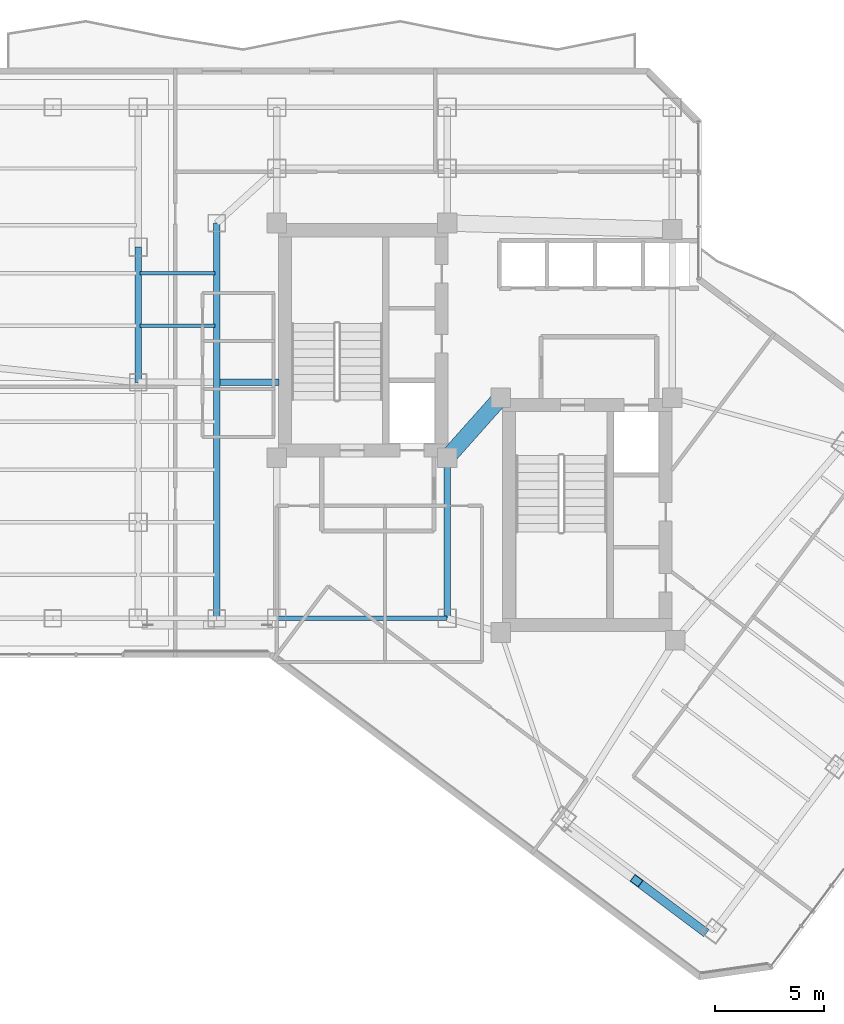
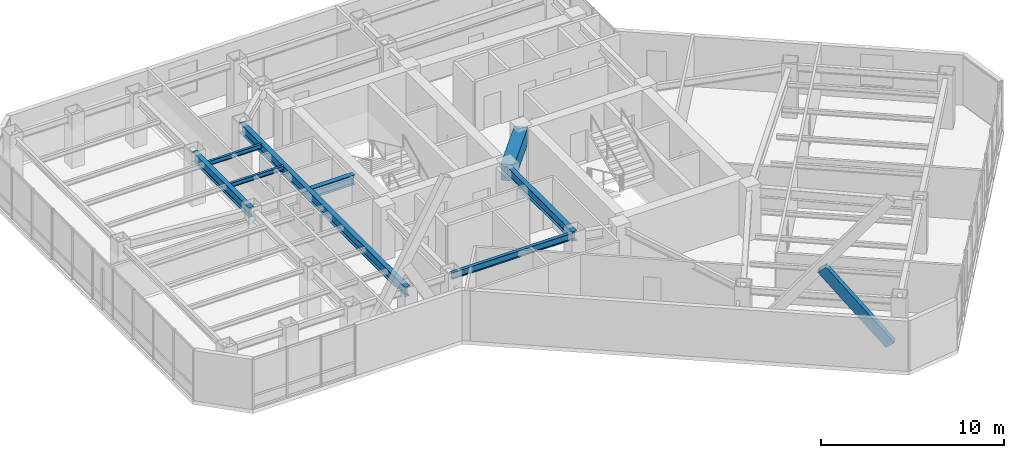
# One storey, part 9 of 27: 8 beams, 1 member.
"""IFC4 building model written with IfcOpenShell, lengths in metres."""

from ifc_helpers import new_model, si_unit, direction, frame, origin, origin_2d, place, context, subcontext, project, spatial, rectangle, hollow_rectangle, i_section, extrude, material, material_profile, profile_set, type_object, element, save


model = new_model("IFC4")

# Units and contexts
model_context = context("Model", 3, precision=1e-05, world=origin(), true_north=direction((0.0, 1.0)))
body_context = subcontext(model_context, "Body", "Model", "MODEL_VIEW")
ifc_project = project(units=[si_unit("LENGTHUNIT", "METRE"), si_unit("AREAUNIT", "SQUARE_METRE"), si_unit("VOLUMEUNIT", "CUBIC_METRE"), si_unit("PLANEANGLEUNIT", "RADIAN"), si_unit("MASSUNIT", "GRAM", prefix="KILO")], contexts=[model_context])

# Site, building, storey
site_placement = place(None, origin())
site = spatial("IfcSite", under=ifc_project, at=site_placement, CompositionType="ELEMENT")
building_placement = place(site_placement, origin())
building = spatial("IfcBuilding", under=site, at=building_placement, Name="Hatsunagi Terrace Concourse", CompositionType="ELEMENT")
storey_placement = place(building_placement, frame((0.0, 0.0, 156.449951171875)))
storey = spatial("IfcBuildingStorey", under=building, at=storey_placement, Name="L41", CompositionType="ELEMENT", Elevation=156.449951171875)

# Beams
ifc_material_1 = material(Name="Concrete Fc48", Category="concrete")
ifc_material_profile_1 = material_profile(ifc_material_1, rectangle(XDim=0.75, YDim=1.10009765625, at=origin_2d()), Name="RC-750x1100")
ifc_profile_set_1 = profile_set([ifc_material_profile_1], Name="Concrete Fc48")
beam_type_1 = type_object("IfcBeamType", Name="CoreCouplingBeam_RC_750x1100", PredefinedType="BEAM", material=ifc_profile_set_1)
beam_1_placement = place(storey_placement, frame((33.35009765625, 32.550048828125, 2.800048828125), z_axis=(0.665198651008, 0.746666427997, 0.0), x_axis=(-0.746666427997, 0.665198651008, 0.0)))
element("IfcBeam", 1, at=beam_1_placement, inside=storey, type_object=beam_type_1, Name="Beam CB-02 CB-L41-1", PredefinedType="BEAM", context=body_context, shape_type="SweptSolid", body=[
    extrude(rectangle(XDim=0.75, YDim=1.10009765625, at=origin_2d()), origin(), (0.0, 0.0, 1.0), 3.68310546875),
])
ifc_material_2 = material(Name="Steel SN490B", Category="steel")
ifc_material_profile_2 = material_profile(ifc_material_2, i_section(OverallWidth=0.14990234375, OverallDepth=0.300048828125, WebThickness=0.006591796875, FlangeThickness=0.009033203125, FilletRadius=0.010986328125, at=origin_2d()), Name="H-300x150x6.5x9")
ifc_profile_set_2 = profile_set([ifc_material_profile_2], Name="Steel SN490B")
beam_type_2 = type_object("IfcBeamType", Name="OfficeJoist_H_300x150", PredefinedType="JOIST", material=ifc_profile_set_2)
for number, where, z_axis, x_axis, name in (
    (2, (19.284912109375, 38.60009765625, 3.199951171875), (1.0, 0.0, 0.0), (0.0, 1.0, 0.0), "Beam J-03 J-L41-W-19-386"),
    (3, (19.284912109375, 41.0, 3.199951171875), (1.0, 0.0, 0.0), (0.0, 1.0, 0.0), "Beam J-03 J-L41-W-19-410"),
):
    element("IfcBeam", number, at=place(storey_placement, frame(where, z_axis=z_axis, x_axis=x_axis)), inside=storey, type_object=beam_type_2, Name=name, PredefinedType="JOIST", context=body_context, shape_type="SweptSolid", body=[
        extrude(i_section(OverallWidth=0.14990234375, OverallDepth=0.300048828125, WebThickness=0.006591796875, FlangeThickness=0.009033203125, FilletRadius=0.010986328125, at=origin_2d()), origin(), (0.0, 0.0, 1.0), 3.43017578125),
    ])
ifc_material_3 = material(Name="Steel SN490B", Category="steel")
ifc_material_profile_3 = material_profile(ifc_material_3, i_section(OverallWidth=0.300048828125, OverallDepth=0.64990234375, WebThickness=0.012939453125, FlangeThickness=0.02197265625, FilletRadius=0.01806640625, at=origin_2d()), Name="H-650x300x13x22")
ifc_profile_set_3 = profile_set([ifc_material_profile_3], Name="Steel SN490B")
beam_type_3 = type_object("IfcBeamType", Name="OfficeLowGirder_H_650x300", PredefinedType="BEAM", material=ifc_profile_set_3)
beam_2_placement = place(storey_placement, frame((33.35009765625, 25.199951171875, 3.025146484375), z_axis=(0.0, 1.0, 0.0), x_axis=(-1.0, 0.0, 0.0)))
element("IfcBeam", 4, at=beam_2_placement, inside=storey, type_object=beam_type_3, Name="Beam G-05 BM-L41-K2CA", PredefinedType="BEAM", context=body_context, shape_type="SweptSolid", body=[
    extrude(i_section(OverallWidth=0.300048828125, OverallDepth=0.64990234375, WebThickness=0.012939453125, FlangeThickness=0.02197265625, FilletRadius=0.01806640625, at=origin_2d()), origin(), (0.0, 0.0, 1.0), 7.35009765625),
])
beam_3_placement = place(storey_placement, frame((22.800048828125, 25.199951171875, 3.025146484375), z_axis=(0.0, 1.0, 0.0), x_axis=(-1.0, 0.0, 0.0)))
element("IfcBeam", 5, at=beam_3_placement, inside=storey, type_object=beam_type_3, Name="Beam G-05 BM-L41-CWNS", PredefinedType="BEAM", context=body_context, shape_type="SweptSolid", body=[
    extrude(i_section(OverallWidth=0.300048828125, OverallDepth=0.64990234375, WebThickness=0.012939453125, FlangeThickness=0.02197265625, FilletRadius=0.01806640625, at=origin_2d()), origin(), (0.0, 0.0, 1.0), 18.10009765625),
])
beam_4_placement = place(storey_placement, frame((19.199951171875, 36.0, 3.025146484375), z_axis=(0.0, 1.0, 0.0), x_axis=(-1.0, 0.0, 0.0)))
element("IfcBeam", 6, at=beam_4_placement, inside=storey, type_object=beam_type_3, Name="Beam G-05 BM-L41-NS-19-36", PredefinedType="BEAM", context=body_context, shape_type="SweptSolid", body=[
    extrude(i_section(OverallWidth=0.300048828125, OverallDepth=0.64990234375, WebThickness=0.012939453125, FlangeThickness=0.02197265625, FilletRadius=0.01806640625, at=origin_2d()), origin(), (0.0, 0.0, 1.0), 6.199951171875),
])
beam_5_placement = place(storey_placement, frame((22.949951171875, 36.0, 3.025146484375), z_axis=(1.0, 0.0, 0.0), x_axis=(0.0, 1.0, 0.0)))
element("IfcBeam", 7, at=beam_5_placement, inside=storey, type_object=beam_type_3, Name="Beam G-05 BM-L41-EW-4", PredefinedType="BEAM", context=body_context, shape_type="SweptSolid", body=[
    extrude(i_section(OverallWidth=0.300048828125, OverallDepth=0.64990234375, WebThickness=0.012939453125, FlangeThickness=0.02197265625, FilletRadius=0.01806640625, at=origin_2d()), origin(), (0.0, 0.0, 1.0), 2.7099609375),
])
ifc_material_4 = material(Name="Steel SN490B", Category="steel")
ifc_material_profile_4 = material_profile(ifc_material_4, i_section(OverallWidth=0.199951171875, OverallDepth=0.449951171875, WebThickness=0.009033203125, FlangeThickness=0.013916015625, FilletRadius=0.01611328125, at=origin_2d()), Name="H-450x200x9x14")
ifc_profile_set_4 = profile_set([ifc_material_profile_4], Name="Steel SN490B")
beam_type_4 = type_object("IfcBeamType", Name="PerimeterSpandrel_H_450x200", PredefinedType="SPANDREL", material=ifc_profile_set_4)
beam_6_placement = place(storey_placement, frame((25.550048828125, 25.199951171875, 3.125), z_axis=(1.0, 0.0, 0.0), x_axis=(0.0, 1.0, 0.0)))
element("IfcBeam", 8, at=beam_6_placement, inside=storey, type_object=beam_type_4, Name="Beam SP-02 BM-L41-WS-25", PredefinedType="SPANDREL", context=body_context, shape_type="SweptSolid", body=[
    extrude(i_section(OverallWidth=0.199951171875, OverallDepth=0.449951171875, WebThickness=0.009033203125, FlangeThickness=0.013916015625, FilletRadius=0.01611328125, at=origin_2d()), origin(), (0.0, 0.0, 1.0), 7.800048828125),
])

# Member
ifc_material_5 = material(Name="Steel SN490B", Category="steel")
ifc_material_profile_5 = material_profile(ifc_material_5, hollow_rectangle(XDim=0.39990234375, YDim=0.60009765625, WallThickness=0.02490234375, at=origin_2d()), Name="RHS-600x400x25")
ifc_profile_set_5 = profile_set([ifc_material_profile_5], Name="Steel SN490B")
member_type = type_object("IfcMemberType", Name="PerimeterXBrace_Mid_RHS_600x400x25", PredefinedType="BRACE", material=ifc_profile_set_5)
member_placement = place(storey_placement, frame((42.02197265625, 13.18408203125, 5.1650390625), z_axis=(0.498319171854, -0.373830320421, -0.782258841111), x_axis=(0.600093425958, 0.799929922007, 0.0)))
element("IfcMember", 9, at=member_placement, inside=storey, type_object=member_type, Name="Perimeter X-Brace Split Lower XB-02 XB-L41-SEB2", PredefinedType="BRACE", context=body_context, shape_type="SweptSolid", body=[
    extrude(hollow_rectangle(XDim=0.39990234375, YDim=0.60009765625, WallThickness=0.02490234375, at=origin_2d()), origin(), (0.0, 0.0, 1.0), 6.040283203125),
])

save(model, "model.ifc")
